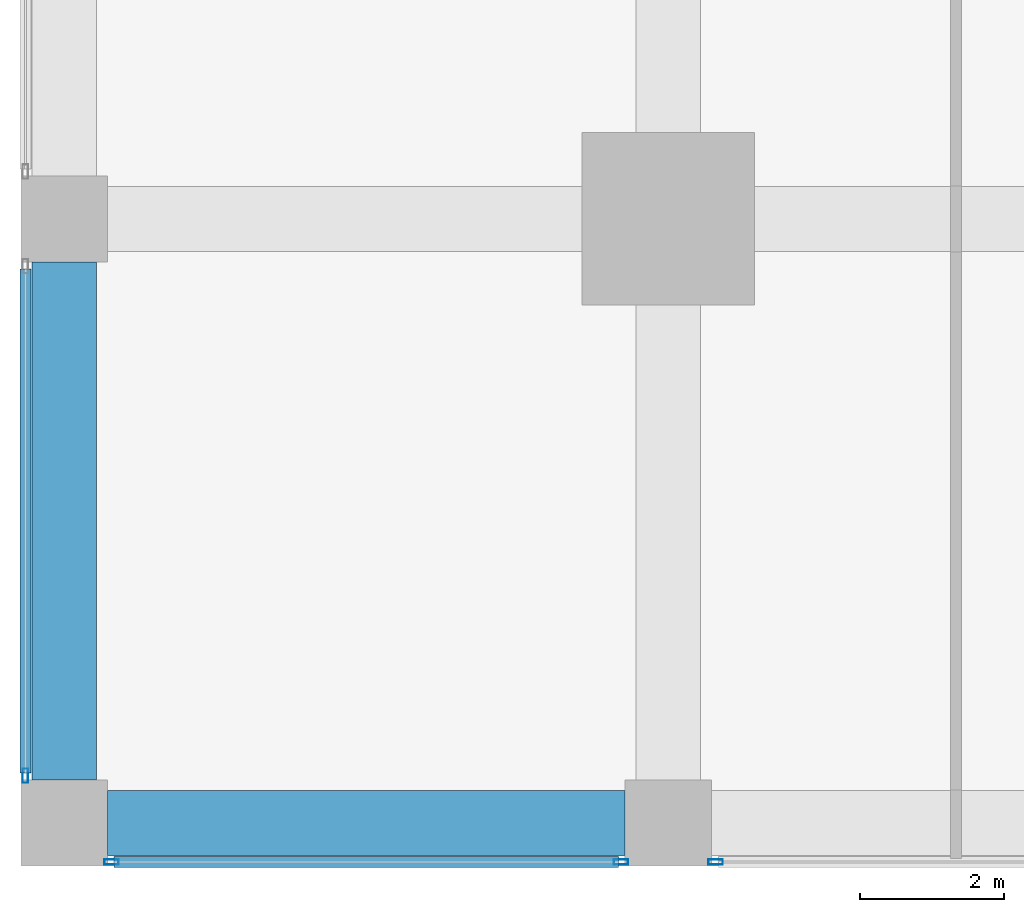
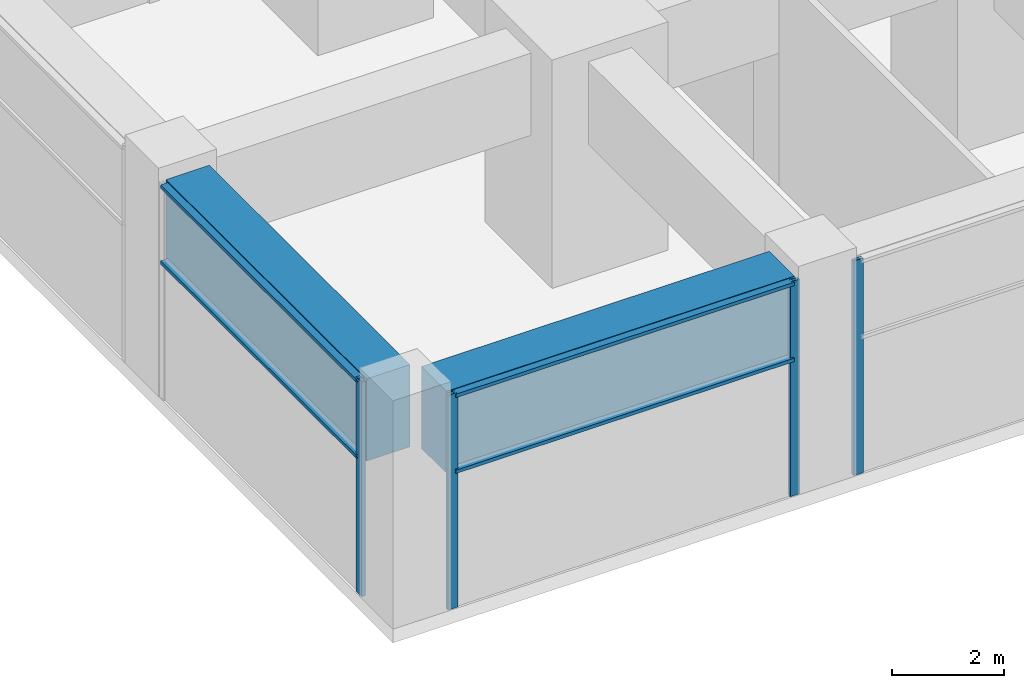
# One storey, part 3 of 49: 8 members, 2 beams, 3 elements without a shape of their own.
"""IFC4 building model written with IfcOpenShell, lengths in metres."""

from ifc_helpers import new_model, si_unit, direction, frame, origin, origin_2d, place, context, subcontext, project, spatial, rectangle, hollow_rectangle, extrude, material, material_profile, profile_set, type_object, element, aggregate, save


model = new_model("IFC4")

# Units and contexts
model_context = context("Model", 3, precision=1e-05, world=origin(), true_north=direction((0.0, 1.0)))
body_context = subcontext(model_context, "Body", "Model", "MODEL_VIEW")
ifc_project = project(units=[si_unit("LENGTHUNIT", "METRE"), si_unit("AREAUNIT", "SQUARE_METRE"), si_unit("VOLUMEUNIT", "CUBIC_METRE"), si_unit("PLANEANGLEUNIT", "RADIAN"), si_unit("MASSUNIT", "GRAM", prefix="KILO")], contexts=[model_context])

# Site, building, storey
site_placement = place(None, origin())
site = spatial("IfcSite", under=ifc_project, at=site_placement, CompositionType="ELEMENT")
building_placement = place(site_placement, origin())
building = spatial("IfcBuilding", under=site, at=building_placement, Name="Rekha Terrace Tower", CompositionType="ELEMENT")
storey_placement = place(building_placement, frame((0.0, 0.0, 5.39990234375)))
storey = spatial("IfcBuildingStorey", under=building, at=storey_placement, Name="L01", CompositionType="ELEMENT", Elevation=5.39990234375)

# Curtain wall, members
ifc_material_1 = material(Name="Aluminium framing", Category="aluminium")
curtain_wall_type = type_object("IfcCurtainWallType", Name="CW4 podium shopfront glazing", PredefinedType="USERDEFINED", material=ifc_material_1)
curtain_wall_1_placement = place(storey_placement, origin())
curtain_wall_1 = element("IfcCurtainWall", 1, at=curtain_wall_1_placement, inside=storey, type_object=curtain_wall_type, Name="CW4 shopfront curtain wall", ObjectType="SHOPFRONT CURTAIN WALL", PredefinedType="USERDEFINED")
ifc_material_2 = material(Name="Aluminium mullion section", Category="aluminium")
ifc_material_profile_1 = material_profile(ifc_material_2, hollow_rectangle(XDim=0.074951171875, YDim=0.199951171875, WallThickness=0.00390625, at=origin_2d()), Name="AL RHS 75x200")
ifc_profile_set_1 = profile_set([ifc_material_profile_1], Name="Aluminium mullion section")
member_type_1 = type_object("IfcMemberType", Name="CW4 mullion RHS 75 x 200", PredefinedType="MULLION", material=ifc_profile_set_1)
member_1_placement = place(storey_placement, frame((0.657470703125, -0.5400390625, 0.0), z_axis=(0.0, 0.0, 1.0), x_axis=(0.0, 1.0, 0.0)))
member_1 = element("IfcMember", 2, at=member_1_placement, type_object=member_type_1, Name="CW4 mullion 1", PredefinedType="MULLION", context=body_context, shape_type="SweptSolid", body=[
    extrude(hollow_rectangle(XDim=0.074951171875, YDim=0.199951171875, WallThickness=0.00390625, at=origin_2d()), origin(), (0.0, 0.0, 1.0), 4.7001953125),
])
member_2_placement = place(storey_placement, frame((7.742431640625, -0.5400390625, 0.0), z_axis=(0.0, 0.0, 1.0), x_axis=(0.0, 1.0, 0.0)))
member_2 = element("IfcMember", 3, at=member_2_placement, type_object=member_type_1, Name="CW4 mullion 2", PredefinedType="MULLION", context=body_context, shape_type="SweptSolid", body=[
    extrude(hollow_rectangle(XDim=0.074951171875, YDim=0.199951171875, WallThickness=0.00390625, at=origin_2d()), origin(), (0.0, 0.0, 1.0), 4.7001953125),
])

# Curtain wall, member
curtain_wall_2_placement = place(storey_placement, origin())
curtain_wall_2 = element("IfcCurtainWall", 4, at=curtain_wall_2_placement, inside=storey, type_object=curtain_wall_type, Name="CW4 shopfront curtain wall", ObjectType="SHOPFRONT CURTAIN WALL", PredefinedType="USERDEFINED")
member_3_placement = place(storey_placement, frame((9.0576171875, -0.5400390625, 0.0), z_axis=(0.0, 0.0, 1.0), x_axis=(0.0, 1.0, 0.0)))
member_3 = element("IfcMember", 5, at=member_3_placement, type_object=member_type_1, Name="CW4 mullion 1", PredefinedType="MULLION", context=body_context, shape_type="SweptSolid", body=[
    extrude(hollow_rectangle(XDim=0.074951171875, YDim=0.199951171875, WallThickness=0.00390625, at=origin_2d()), origin(), (0.0, 0.0, 1.0), 4.7001953125),
])
aggregate(curtain_wall_2, [member_3])

curtain_wall_3_placement = place(storey_placement, origin())
curtain_wall_3 = element("IfcCurtainWall", 6, at=curtain_wall_3_placement, inside=storey, type_object=curtain_wall_type, Name="CW4 shopfront curtain wall", ObjectType="SHOPFRONT CURTAIN WALL", PredefinedType="USERDEFINED")
member_4_placement = place(storey_placement, frame((-0.5400390625, 0.657470703125, 0.0), z_axis=(0.0, 0.0, 1.0), x_axis=(1.0, 0.0, 0.0)))
member_4 = element("IfcMember", 7, at=member_4_placement, type_object=member_type_1, Name="CW4 mullion 2", PredefinedType="MULLION", context=body_context, shape_type="SweptSolid", body=[
    extrude(hollow_rectangle(XDim=0.074951171875, YDim=0.199951171875, WallThickness=0.00390625, at=origin_2d()), origin(), (0.0, 0.0, 1.0), 4.7001953125),
])

# Member
ifc_material_3 = material(Name="Aluminium transom section", Category="aluminium")
ifc_material_profile_2 = material_profile(ifc_material_3, hollow_rectangle(XDim=0.14990234375, YDim=0.074951171875, WallThickness=0.0029296875, at=origin_2d()), Name="AL RHS 150x75")
ifc_profile_set_2 = profile_set([ifc_material_profile_2], Name="Aluminium transom section")
member_type_2 = type_object("IfcMemberType", Name="CW4 transom RHS 75 x 150", PredefinedType="USERDEFINED", material=ifc_profile_set_2)
member_5_placement = place(storey_placement, frame((0.695068359375, -0.5400390625, 3.0), z_axis=(1.0, 0.0, 0.0), x_axis=(0.0, 1.0, 0.0)))
member_5 = element("IfcMember", 8, at=member_5_placement, type_object=member_type_2, Name="CW4 transom 1.2", ObjectType="TRANSOM", PredefinedType="USERDEFINED", context=body_context, shape_type="SweptSolid", body=[
    extrude(hollow_rectangle(XDim=0.14990234375, YDim=0.074951171875, WallThickness=0.0029296875, at=origin_2d()), origin(), (0.0, 0.0, 1.0), 7.010009765625),
])

member_6_placement = place(storey_placement, frame((0.695068359375, -0.5400390625, 4.66259765625), z_axis=(1.0, 0.0, 0.0), x_axis=(0.0, 1.0, 0.0)))
member_6 = element("IfcMember", 9, at=member_6_placement, type_object=member_type_2, Name="CW4 transom 1.3", ObjectType="TRANSOM", PredefinedType="USERDEFINED", context=body_context, shape_type="SweptSolid", body=[
    extrude(hollow_rectangle(XDim=0.14990234375, YDim=0.074951171875, WallThickness=0.0029296875, at=origin_2d()), origin(), (0.0, 0.0, 1.0), 7.010009765625),
])

aggregate(curtain_wall_1, [member_1, member_2, member_5, member_6])

member_7_placement = place(storey_placement, frame((-0.5400390625, 7.705078125, 3.0), z_axis=(0.0, -1.0, 0.0), x_axis=(1.0, 0.0, 0.0)))
member_7 = element("IfcMember", 10, at=member_7_placement, type_object=member_type_2, Name="CW4 transom 1.2", ObjectType="TRANSOM", PredefinedType="USERDEFINED", context=body_context, shape_type="SweptSolid", body=[
    extrude(hollow_rectangle(XDim=0.14990234375, YDim=0.074951171875, WallThickness=0.0029296875, at=origin_2d()), origin(), (0.0, 0.0, 1.0), 7.010009765625),
])

member_8_placement = place(storey_placement, frame((-0.5400390625, 7.705078125, 4.66259765625), z_axis=(0.0, -1.0, 0.0), x_axis=(1.0, 0.0, 0.0)))
member_8 = element("IfcMember", 11, at=member_8_placement, type_object=member_type_2, Name="CW4 transom 1.3", ObjectType="TRANSOM", PredefinedType="USERDEFINED", context=body_context, shape_type="SweptSolid", body=[
    extrude(hollow_rectangle(XDim=0.14990234375, YDim=0.074951171875, WallThickness=0.0029296875, at=origin_2d()), origin(), (0.0, 0.0, 1.0), 7.010009765625),
])

aggregate(curtain_wall_3, [member_4, member_7, member_8])

# Beams
ifc_material_4 = material(Name="Concrete M60", Category="concrete")
ifc_material_profile_3 = material_profile(ifc_material_4, rectangle(XDim=0.89990234375, YDim=1.800048828125, at=origin_2d()), Name="RC 900x1800")
ifc_profile_set_3 = profile_set([ifc_material_profile_3], Name="Concrete M60")
beam_type = type_object("IfcBeamType", Name="G1 900x1800 podium floor beam", PredefinedType="BEAM", material=ifc_profile_set_3)
for number, where, z_axis, x_axis, name in (
    (12, (0.60009765625, 0.0, 3.800048828125), (1.0, 0.0, 0.0), (0.0, 1.0, 0.0), "Beam G1 1A-2A under L02"),
    (13, (0.0, 0.60009765625, 3.800048828125), (0.0, 1.0, 0.0), (-1.0, 0.0, 0.0), "Beam G1 1A-1B under L02"),
):
    element("IfcBeam", number, at=place(storey_placement, frame(where, z_axis=z_axis, x_axis=x_axis)), inside=storey, type_object=beam_type, Name=name, PredefinedType="BEAM", context=body_context, shape_type="SweptSolid", body=[
        extrude(rectangle(XDim=0.89990234375, YDim=1.800048828125, at=origin_2d()), origin(), (0.0, 0.0, 1.0), 7.199951171875),
    ])

save(model, "model.ifc")
